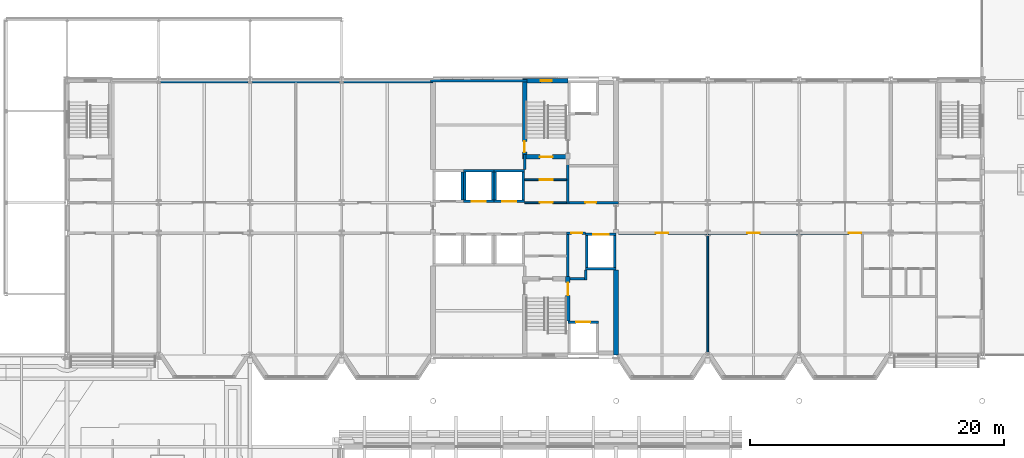
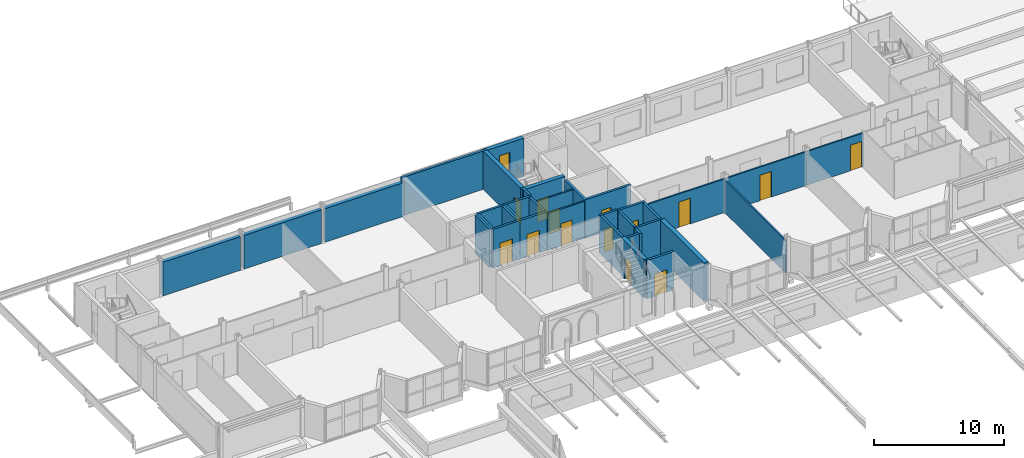
# One storey, part 42 of 110: 34 walls, 14 doors, 1 window, 15 openings.
"""IFC4 building model written with IfcOpenShell, lengths in metres."""

from ifc_helpers import new_model, si_unit, direction, frame, frame_2d, origin, place, context, subcontext, project, spatial, rectangle, extrude, material, layer, layer_set, type_object, element, fill, save


model = new_model("IFC4")

# Units and contexts
model_context = context("Model", 3, precision=1e-05, world=origin(), true_north=direction((0.0, 1.0)))
body_context = subcontext(model_context, "Body", "Model", "MODEL_VIEW")
ifc_project = project(units=[si_unit("LENGTHUNIT", "METRE"), si_unit("AREAUNIT", "SQUARE_METRE"), si_unit("VOLUMEUNIT", "CUBIC_METRE"), si_unit("PLANEANGLEUNIT", "RADIAN"), si_unit("MASSUNIT", "GRAM", prefix="KILO")], contexts=[model_context])

# Site, building, storey
site_placement = place(None, origin())
site = spatial("IfcSite", under=ifc_project, at=site_placement, CompositionType="ELEMENT")
building_placement = place(site_placement, origin())
building = spatial("IfcBuilding", under=site, at=building_placement, Name="Kupolbacken Congress Centre", CompositionType="ELEMENT")
storey_placement = place(building_placement, frame((0.0, 0.0, 18.0)))
storey = spatial("IfcBuildingStorey", under=building, at=storey_placement, Name="L05", CompositionType="ELEMENT", Elevation=18.0)

# Walls
ifc_material_1 = material(Name="Brick", Category="masonry")
ifc_layer_1 = layer(ifc_material_1, 0.10791015625)
ifc_material_2 = material(Name="Air cavity", Category="air")
ifc_layer_2 = layer(ifc_material_2, 0.050048828125, ventilated=True)
ifc_material_3 = material(Name="Mineral wool", Category="insulation")
ifc_layer_3 = layer(ifc_material_3, 0.1298828125)
ifc_material_4 = material(Name="Steel studs", Category="metal")
ifc_layer_4 = layer(ifc_material_4, 0.052001953125)
ifc_layer_set_1 = layer_set([ifc_layer_1, ifc_layer_2, ifc_layer_3, ifc_layer_4], Name="Brick / Mineral wool / Steel studs")
wall_type_1 = type_object("IfcWallType", Name="EW02 external cavity wall 340", PredefinedType="SOLIDWALL", material=ifc_layer_set_1)
wall_1_placement = place(storey_placement, frame((93.60009765625, 144.0, 0.0), z_axis=(0.0, 0.0, 1.0), x_axis=(-1.0, 0.0, 0.0)))
element("IfcWall", 1, at=wall_1_placement, inside=storey, type_object=wall_type_1, Name="E/T/N/L05/070", PredefinedType="SOLIDWALL", context=body_context, shape_type="SweptSolid", body=[
    extrude(rectangle(XDim=7.046630859375, YDim=0.340087890625, at=frame_2d((3.5234375, 0.0))), origin(), (0.0, 0.0, 1.0), 3.159912109375),
])
wall_2_placement = place(storey_placement, frame((86.24658203125, 144.0, 0.0), z_axis=(0.0, 0.0, 1.0), x_axis=(-1.0, 0.0, 0.0)))
element("IfcWall", 2, at=wall_2_placement, inside=storey, type_object=wall_type_1, Name="E/T/N/L05/071", PredefinedType="SOLIDWALL", context=body_context, shape_type="SweptSolid", body=[
    extrude(rectangle(XDim=6.89306640625, YDim=0.340087890625, at=frame_2d((3.446533203125, 0.0))), origin(), (0.0, 0.0, 1.0), 3.159912109375),
])
wall_3_placement = place(storey_placement, frame((79.04638671875, 144.0, 0.0), z_axis=(0.0, 0.0, 1.0), x_axis=(-1.0, 0.0, 0.0)))
element("IfcWall", 3, at=wall_3_placement, inside=storey, type_object=wall_type_1, Name="E/T/N/L05/072", PredefinedType="SOLIDWALL", context=body_context, shape_type="SweptSolid", body=[
    extrude(rectangle(XDim=6.892822265625, YDim=0.340087890625, at=frame_2d((3.4462890625, 0.0))), origin(), (0.0, 0.0, 1.0), 3.159912109375),
])

# Wall, openings, doors
ifc_material_5 = material(Name="Gypsum board", Category="drywall")
ifc_layer_5 = layer(ifc_material_5, 0.135009765625)
ifc_layer_set_2 = layer_set([ifc_layer_5], Name="Gypsum board")
wall_type_2 = type_object("IfcWallType", Name="P06 compartment wall 135", PredefinedType="PARTITIONING", material=ifc_layer_set_2)
wall_4_placement = place(storey_placement, frame((108.199951171875, 132.0, 0.0), z_axis=(0.0, 0.0, 1.0), x_axis=(1.0, 0.0, 0.0)))
wall_4 = element("IfcWall", 4, at=wall_4_placement, inside=storey, type_object=wall_type_2, Name="T/wall/L05/x/13200/10800", PredefinedType="PARTITIONING", context=body_context, shape_type="SweptSolid", body=[
    extrude(rectangle(XDim=19.257568359375, YDim=0.135009765625, at=frame_2d((9.62890625, 0.0))), origin(), (0.0, 0.0, 1.0), 3.159912109375),
])
opening_1_placement = place(wall_4_placement, frame((2.89990234375, 0.0, 0.0)))
opening_1 = element("IfcOpeningElement", 5, at=opening_1_placement, cuts=wall_4, Name="Opening D8", PredefinedType="OPENING", context=body_context, shape_type="SweptSolid", body=[
    extrude(rectangle(XDim=1.0, YDim=2.39990234375, at=frame_2d((0.5, 1.199951171875))), frame((0.0, 0.077392578125, 0.0), z_axis=(0.0, -1.0, 0.0), x_axis=(1.0, 0.0, 0.0)), (0.0, 0.0, 1.0), 0.155029296875),
])
opening_2_placement = place(wall_4_placement, frame((10.10009765625, 0.0, 0.0)))
opening_2 = element("IfcOpeningElement", 6, at=opening_2_placement, cuts=wall_4, Name="Opening D8", PredefinedType="OPENING", context=body_context, shape_type="SweptSolid", body=[
    extrude(rectangle(XDim=1.0, YDim=2.39990234375, at=frame_2d((0.5, 1.199951171875))), frame((0.0, 0.077392578125, 0.0), z_axis=(0.0, -1.0, 0.0), x_axis=(1.0, 0.0, 0.0)), (0.0, 0.0, 1.0), 0.155029296875),
])
opening_3_placement = place(wall_4_placement, frame((18.10009765625, 0.0, 0.0)))
opening_3 = element("IfcOpeningElement", 7, at=opening_3_placement, cuts=wall_4, Name="Opening D8", PredefinedType="OPENING", context=body_context, shape_type="SweptSolid", body=[
    extrude(rectangle(XDim=1.0, YDim=2.39990234375, at=frame_2d((0.5, 1.199951171875))), frame((0.0, 0.077392578125, 0.0), z_axis=(0.0, -1.0, 0.0), x_axis=(1.0, 0.0, 0.0)), (0.0, 0.0, 1.0), 0.155029296875),
])
ifc_material_6 = material(Name="Steel fire door leaf", Category="steel")
door_type_1 = type_object("IfcDoorType", Name="D8 fire door 1000x2400", OperationType="SINGLE_SWING_LEFT", PredefinedType="DOOR", material=ifc_material_6)
door_1_placement = place(opening_1_placement, frame((1.0, 0.0, 0.0), z_axis=(0.0, 0.0, 1.0), x_axis=(-1.0, 0.0, 0.0)))
door_1 = element("IfcDoor", 8, at=door_1_placement, inside=storey, type_object=door_type_1, Name="T/wall/L05/x/13200/10800/D-SE4-S1", OperationType="SINGLE_SWING_LEFT", OverallHeight=2.39990234375, OverallWidth=1.0, PredefinedType="DOOR", context=body_context, shape_type="SweptSolid", body=[
    extrude(rectangle(XDim=1.0, YDim=2.39990234375, at=frame_2d((0.5, 1.199951171875))), frame((0.0, 0.02490234375, 0.0), z_axis=(0.0, -1.0, 0.0), x_axis=(1.0, 0.0, 0.0)), (0.0, 0.0, 1.0), 0.050048828125),
])
fill(opening_1, door_1)
door_2_placement = place(opening_2_placement, frame((1.0, 0.0, 0.0), z_axis=(0.0, 0.0, 1.0), x_axis=(-1.0, 0.0, 0.0)))
door_2 = element("IfcDoor", 9, at=door_2_placement, inside=storey, type_object=door_type_1, Name="T/wall/L05/x/13200/10800/D-TO5-S1", OperationType="SINGLE_SWING_RIGHT", OverallHeight=2.39990234375, OverallWidth=1.0, PredefinedType="DOOR", context=body_context, shape_type="SweptSolid", body=[
    extrude(rectangle(XDim=1.0, YDim=2.39990234375, at=frame_2d((0.5, 1.199951171875))), frame((0.0, 0.02490234375, 0.0), z_axis=(0.0, -1.0, 0.0), x_axis=(1.0, 0.0, 0.0)), (0.0, 0.0, 1.0), 0.050048828125),
])
fill(opening_2, door_2)
door_3_placement = place(opening_3_placement, origin())
door_3 = element("IfcDoor", 10, at=door_3_placement, inside=storey, type_object=door_type_1, Name="T/wall/L05/x/13200/10800/D-MR2-S1", OperationType="SINGLE_SWING_LEFT", OverallHeight=2.39990234375, OverallWidth=1.0, PredefinedType="DOOR", context=body_context, shape_type="SweptSolid", body=[
    extrude(rectangle(XDim=1.0, YDim=2.39990234375, at=frame_2d((0.5, 1.199951171875))), frame((0.0, 0.02490234375, 0.0), z_axis=(0.0, -1.0, 0.0), x_axis=(1.0, 0.0, 0.0)), (0.0, 0.0, 1.0), 0.050048828125),
])
fill(opening_3, door_3)

# Wall
wall_5_placement = place(storey_placement, frame((115.199951171875, 122.60009765625, 0.0), z_axis=(0.0, 0.0, 1.0), x_axis=(0.0, 1.0, 0.0)))
element("IfcWall", 11, at=wall_5_placement, inside=storey, type_object=wall_type_2, Name="T/wall/L05/y/11520/12080", PredefinedType="PARTITIONING", context=body_context, shape_type="SweptSolid", body=[
    extrude(rectangle(XDim=9.33251953125, YDim=0.135009765625, at=frame_2d((4.666259765625, 0.0))), origin(), (0.0, 0.0, 1.0), 3.06005859375),
])

# Wall, opening, door
ifc_material_7 = material(Name="Aerated concrete block", Category="masonry")
ifc_layer_6 = layer(ifc_material_7, 0.139892578125)
ifc_layer_set_3 = layer_set([ifc_layer_6], Name="Aerated concrete block")
wall_type_3 = type_object("IfcWallType", Name="P14 compartment wall 140", PredefinedType="PARTITIONING", material=ifc_layer_set_3)
wall_6_placement = place(storey_placement, frame((100.800048828125, 134.39990234375, 0.0), z_axis=(0.0, 0.0, 1.0), x_axis=(1.0, 0.0, 0.0)))
wall_6 = element("IfcWall", 12, at=wall_6_placement, inside=storey, type_object=wall_type_3, Name="T/wall/L05/x/13440/10080", PredefinedType="PARTITIONING", context=body_context, shape_type="SweptSolid", body=[
    extrude(rectangle(XDim=3.300048828125, YDim=0.139892578125, at=frame_2d((1.64990234375, 0.0))), origin(), (0.0, 0.0, 1.0), 3.4599609375),
])
opening_4_placement = place(wall_6_placement, frame((1.199951171875, 0.0, 0.0)))
opening_4 = element("IfcOpeningElement", 13, at=opening_4_placement, cuts=wall_6, Name="Opening D5", PredefinedType="OPENING", context=body_context, shape_type="SweptSolid", body=[
    extrude(rectangle(XDim=1.0, YDim=2.10009765625, at=frame_2d((0.5, 1.050048828125))), frame((0.0, 0.079833984375, 0.0), z_axis=(0.0, -1.0, 0.0), x_axis=(1.0, 0.0, 0.0)), (0.0, 0.0, 1.0), 0.159912109375),
])
ifc_material_8 = material(Name="Steel fire door leaf", Category="steel")
door_type_2 = type_object("IfcDoorType", Name="D5 stair door 1000x2100", OperationType="SINGLE_SWING_LEFT", PredefinedType="DOOR", material=ifc_material_8)
door_4_placement = place(opening_4_placement, frame((1.0, 0.0, 0.0), z_axis=(0.0, 0.0, 1.0), x_axis=(-1.0, 0.0, 0.0)))
door_4 = element("IfcDoor", 14, at=door_4_placement, inside=storey, type_object=door_type_2, Name="T/wall/L05/x/13440/10080/D-TS2-LK3", OperationType="SINGLE_SWING_RIGHT", OverallHeight=2.10009765625, OverallWidth=1.0, PredefinedType="DOOR", context=body_context, shape_type="SweptSolid", body=[
    extrude(rectangle(XDim=1.0, YDim=2.10009765625, at=frame_2d((0.5, 1.050048828125))), frame((0.0, 0.02490234375, 0.0), z_axis=(0.0, -1.0, 0.0), x_axis=(1.0, 0.0, 0.0)), (0.0, 0.0, 1.0), 0.050048828125),
])
fill(opening_4, door_4)

wall_7_placement = place(storey_placement, frame((100.800048828125, 136.199951171875, 0.0), z_axis=(0.0, 0.0, 1.0), x_axis=(1.0, 0.0, 0.0)))
wall_7 = element("IfcWall", 15, at=wall_7_placement, inside=storey, type_object=wall_type_3, Name="T/wall/L05/x/13620/10080", PredefinedType="PARTITIONING", context=body_context, shape_type="SweptSolid", body=[
    extrude(rectangle(XDim=3.300048828125, YDim=0.139892578125, at=frame_2d((1.64990234375, 0.0))), origin(), (0.0, 0.0, 1.0), 3.4599609375),
])
opening_5_placement = place(wall_7_placement, frame((1.199951171875, 0.0, 0.0)))
opening_5 = element("IfcOpeningElement", 16, at=opening_5_placement, cuts=wall_7, Name="Opening D5", PredefinedType="OPENING", context=body_context, shape_type="SweptSolid", body=[
    extrude(rectangle(XDim=1.0, YDim=2.10009765625, at=frame_2d((0.5, 1.050048828125))), frame((0.0, 0.079833984375, 0.0), z_axis=(0.0, -1.0, 0.0), x_axis=(1.0, 0.0, 0.0)), (0.0, 0.0, 1.0), 0.159912109375),
])
door_5_placement = place(opening_5_placement, frame((1.0, 0.0, 0.0), z_axis=(0.0, 0.0, 1.0), x_axis=(-1.0, 0.0, 0.0)))
door_5 = element("IfcDoor", 17, at=door_5_placement, inside=storey, type_object=door_type_2, Name="T/wall/L05/x/13620/10080/D-TS2-LK2", OperationType="SINGLE_SWING_RIGHT", OverallHeight=2.10009765625, OverallWidth=1.0, PredefinedType="DOOR", context=body_context, shape_type="SweptSolid", body=[
    extrude(rectangle(XDim=1.0, YDim=2.10009765625, at=frame_2d((0.5, 1.050048828125))), frame((0.0, 0.02490234375, 0.0), z_axis=(0.0, -1.0, 0.0), x_axis=(1.0, 0.0, 0.0)), (0.0, 0.0, 1.0), 0.050048828125),
])
fill(opening_5, door_5)

# Walls
ifc_material_9 = material(Name="Concrete C40/50", Category="concrete")
ifc_layer_7 = layer(ifc_material_9, 0.199951171875)
ifc_layer_set_4 = layer_set([ifc_layer_7], Name="Concrete C40/50")
wall_type_4 = type_object("IfcWallType", Name="WC1 RC shaft wall 200", PredefinedType="SHEAR", material=ifc_layer_set_4)
wall_8_placement = place(storey_placement, frame((104.375, 128.39990234375, 0.0), z_axis=(0.0, 0.0, 1.0), x_axis=(1.0, 0.0, 0.0)))
element("IfcWall", 18, at=wall_8_placement, inside=storey, type_object=wall_type_4, Name="Shaft wall L05-093", PredefinedType="SHEAR", context=body_context, shape_type="SweptSolid", body=[
    extrude(rectangle(XDim=1.324951171875, YDim=0.199951171875, at=frame_2d((0.66259765625, 0.0))), origin(), (0.0, 0.0, 1.0), 3.60009765625),
])
wall_9_placement = place(storey_placement, frame((105.60009765625, 128.300048828125, 0.0), z_axis=(0.0, 0.0, 1.0), x_axis=(0.0, 1.0, 0.0)))
element("IfcWall", 19, at=wall_9_placement, inside=storey, type_object=wall_type_4, Name="Shaft wall L05-094", PredefinedType="SHEAR", context=body_context, shape_type="SweptSolid", body=[
    extrude(rectangle(XDim=0.800048828125, YDim=0.199951171875, at=frame_2d((0.39990234375, 0.0))), origin(), (0.0, 0.0, 1.0), 3.60009765625),
])
wall_10_placement = place(storey_placement, frame((104.199951171875, 132.10009765625, 0.0), z_axis=(0.0, 0.0, 1.0), x_axis=(0.0, -1.0, 0.0)))
element("IfcWall", 20, at=wall_10_placement, inside=storey, type_object=wall_type_4, Name="Shaft wall L05-109", PredefinedType="SHEAR", context=body_context, shape_type="SweptSolid", body=[
    extrude(rectangle(XDim=3.525146484375, YDim=0.199951171875, at=frame_2d((1.7626953125, 0.0))), origin(), (0.0, 0.0, 1.0), 3.60009765625),
])

# Wall, opening, door
wall_11_placement = place(storey_placement, frame((105.60009765625, 132.0, 0.0), z_axis=(0.0, 0.0, 1.0), x_axis=(-1.0, 0.0, 0.0)))
wall_11 = element("IfcWall", 21, at=wall_11_placement, inside=storey, type_object=wall_type_4, Name="Shaft wall L05-110", PredefinedType="SHEAR", context=body_context, shape_type="SweptSolid", body=[
    extrude(rectangle(XDim=1.5, YDim=0.199951171875, at=frame_2d((0.75, 0.0))), origin(), (0.0, 0.0, 1.0), 3.60009765625),
])
opening_6_placement = place(wall_11_placement, frame((0.27490234375, 0.0, 0.0)))
opening_6 = element("IfcOpeningElement", 22, at=opening_6_placement, cuts=wall_11, Name="Opening D3", PredefinedType="OPENING", context=body_context, shape_type="SweptSolid", body=[
    extrude(rectangle(XDim=0.85009765625, YDim=2.10009765625, at=frame_2d((0.425048828125, 1.050048828125))), frame((0.0, 0.10986328125, 0.0), z_axis=(0.0, -1.0, 0.0), x_axis=(1.0, 0.0, 0.0)), (0.0, 0.0, 1.0), 0.219970703125),
])
ifc_material_10 = material(Name="Steel fire door leaf", Category="steel")
door_type_3 = type_object("IfcDoorType", Name="D3 fire door 850x2100", OperationType="SINGLE_SWING_LEFT", PredefinedType="DOOR", material=ifc_material_10)
door_6_placement = place(opening_6_placement, origin())
door_6 = element("IfcDoor", 23, at=door_6_placement, inside=storey, type_object=door_type_3, Name="S/core/L05/110/D-TR3-A", OperationType="SINGLE_SWING_LEFT", OverallHeight=2.10009765625, OverallWidth=0.85009765625, PredefinedType="DOOR", context=body_context, shape_type="SweptSolid", body=[
    extrude(rectangle(XDim=0.85009765625, YDim=2.10009765625, at=frame_2d((0.425048828125, 1.050048828125))), frame((0.0, 0.02490234375, 0.0), z_axis=(0.0, -1.0, 0.0), x_axis=(1.0, 0.0, 0.0)), (0.0, 0.0, 1.0), 0.050048828125),
])
fill(opening_6, door_6)

wall_12_placement = place(storey_placement, frame((104.10009765625, 134.39990234375, 0.0), z_axis=(0.0, 0.0, 1.0), x_axis=(1.0, 0.0, 0.0)))
wall_12 = element("IfcWall", 24, at=wall_12_placement, inside=storey, type_object=wall_type_4, Name="Shaft wall L05-112", PredefinedType="SHEAR", context=body_context, shape_type="SweptSolid", body=[
    extrude(rectangle(XDim=4.099853515625, YDim=0.199951171875, at=frame_2d((2.0498046875, 0.0))), origin(), (0.0, 0.0, 1.0), 3.60009765625),
])
opening_7_placement = place(wall_12_placement, frame((1.47509765625, 0.0, 0.0)))
opening_7 = element("IfcOpeningElement", 25, at=opening_7_placement, cuts=wall_12, Name="Opening D3", PredefinedType="OPENING", context=body_context, shape_type="SweptSolid", body=[
    extrude(rectangle(XDim=0.85009765625, YDim=2.10009765625, at=frame_2d((0.425048828125, 1.050048828125))), frame((0.0, 0.10986328125, 0.0), z_axis=(0.0, -1.0, 0.0), x_axis=(1.0, 0.0, 0.0)), (0.0, 0.0, 1.0), 0.219970703125),
])
door_7_placement = place(opening_7_placement, origin())
door_7 = element("IfcDoor", 26, at=door_7_placement, inside=storey, type_object=door_type_3, Name="S/core/L05/112/D-TR4-A", OperationType="SINGLE_SWING_RIGHT", OverallHeight=2.10009765625, OverallWidth=0.85009765625, PredefinedType="DOOR", context=body_context, shape_type="SweptSolid", body=[
    extrude(rectangle(XDim=0.85009765625, YDim=2.10009765625, at=frame_2d((0.425048828125, 1.050048828125))), frame((0.0, 0.02490234375, 0.0), z_axis=(0.0, -1.0, 0.0), x_axis=(1.0, 0.0, 0.0)), (0.0, 0.0, 1.0), 0.050048828125),
])
fill(opening_7, door_7)

# Walls
wall_13_placement = place(storey_placement, frame((100.800048828125, 137.0, 0.0), z_axis=(0.0, 0.0, 1.0), x_axis=(0.0, 1.0, 0.0)))
element("IfcWall", 27, at=wall_13_placement, inside=storey, type_object=wall_type_4, Name="Shaft wall L05-114", PredefinedType="SHEAR", context=body_context, shape_type="SweptSolid", body=[
    extrude(rectangle(XDim=1.175048828125, YDim=0.199951171875, at=frame_2d((0.58740234375, 0.0))), origin(), (0.0, 0.0, 1.0), 3.60009765625),
])
wall_14_placement = place(storey_placement, frame((104.199951171875, 137.39990234375, 0.0), z_axis=(0.0, 0.0, 1.0), x_axis=(0.0, -1.0, 0.0)))
element("IfcWall", 28, at=wall_14_placement, inside=storey, type_object=wall_type_4, Name="Shaft wall L05-115", PredefinedType="SHEAR", context=body_context, shape_type="SweptSolid", body=[
    extrude(rectangle(XDim=3.099853515625, YDim=0.199951171875, at=frame_2d((1.5498046875, 0.0))), origin(), (0.0, 0.0, 1.0), 3.60009765625),
])
wall_15_placement = place(storey_placement, frame((100.97509765625, 144.0, 0.0), z_axis=(0.0, 0.0, 1.0), x_axis=(-1.0, 0.0, 0.0)))
element("IfcWall", 29, at=wall_15_placement, inside=storey, type_object=wall_type_4, Name="Shaft wall L05-128", PredefinedType="SHEAR", context=body_context, shape_type="SweptSolid", body=[
    extrude(rectangle(XDim=7.5751953125, YDim=0.199951171875, at=frame_2d((3.78759765625, 0.0))), origin(), (0.0, 0.0, 1.0), 3.60009765625),
])
wall_16_placement = place(storey_placement, frame((95.89990234375, 134.60009765625, 0.0), z_axis=(0.0, 0.0, 1.0), x_axis=(0.0, 1.0, 0.0)))
element("IfcWall", 30, at=wall_16_placement, inside=storey, type_object=wall_type_4, Name="Shaft wall LP12", PredefinedType="SHEAR", context=body_context, shape_type="SweptSolid", body=[
    extrude(rectangle(XDim=2.199951171875, YDim=0.199951171875, at=frame_2d((1.10009765625, 0.0))), origin(), (0.0, 0.0, 1.0), 3.60009765625),
])

# Wall, opening, door
wall_17_placement = place(storey_placement, frame((96.0, 134.5, 0.0), z_axis=(0.0, 0.0, 1.0), x_axis=(1.0, 0.0, 0.0)))
wall_17 = element("IfcWall", 31, at=wall_17_placement, inside=storey, type_object=wall_type_4, Name="Shaft wall LP13", PredefinedType="SHEAR", context=body_context, shape_type="SweptSolid", body=[
    extrude(rectangle(XDim=2.39990234375, YDim=0.199951171875, at=frame_2d((1.199951171875, 0.0))), origin(), (0.0, 0.0, 1.0), 3.60009765625),
])
opening_8_placement = place(wall_17_placement, frame((0.64990234375, 0.0, 0.0)))
opening_8 = element("IfcOpeningElement", 32, at=opening_8_placement, cuts=wall_17, Name="Opening LD2", PredefinedType="OPENING", context=body_context, shape_type="SweptSolid", body=[
    extrude(rectangle(XDim=1.10009765625, YDim=2.10009765625, at=frame_2d((0.550048828125, 1.050048828125))), frame((0.0, 0.10986328125, 0.0), z_axis=(0.0, -1.0, 0.0), x_axis=(1.0, 0.0, 0.0)), (0.0, 0.0, 1.0), 0.219970703125),
])
ifc_material_11 = material(Name="Stainless steel door leaf", Category="steel")
door_type_4 = type_object("IfcDoorType", Name="LD2 lift landing door 1100x2100", OperationType="SLIDING_TO_LEFT", PredefinedType="DOOR", material=ifc_material_11)
door_8_placement = place(opening_8_placement, origin())
door_8 = element("IfcDoor", 33, at=door_8_placement, inside=storey, type_object=door_type_4, Name="Lift landing door LP13", OperationType="SLIDING_TO_LEFT", OverallHeight=2.10009765625, OverallWidth=1.10009765625, PredefinedType="DOOR", context=body_context, shape_type="SweptSolid", body=[
    extrude(rectangle(XDim=1.10009765625, YDim=2.10009765625, at=frame_2d((0.550048828125, 1.050048828125))), frame((0.0, 0.02490234375, 0.0), z_axis=(0.0, -1.0, 0.0), x_axis=(1.0, 0.0, 0.0)), (0.0, 0.0, 1.0), 0.050048828125),
])
fill(opening_8, door_8)

# Walls
wall_18_placement = place(storey_placement, frame((96.0, 136.89990234375, 0.0), z_axis=(0.0, 0.0, 1.0), x_axis=(1.0, 0.0, 0.0)))
element("IfcWall", 34, at=wall_18_placement, inside=storey, type_object=wall_type_4, Name="Shaft wall LP13", PredefinedType="SHEAR", context=body_context, shape_type="SweptSolid", body=[
    extrude(rectangle(XDim=2.39990234375, YDim=0.199951171875, at=frame_2d((1.199951171875, 0.0))), origin(), (0.0, 0.0, 1.0), 3.60009765625),
])
for number, where, z_axis, x_axis, name in (
    (35, (96.10009765625, 134.60009765625, 0.0), (0.0, 0.0, 1.0), (0.0, 1.0, 0.0), "Shaft wall LP13"),
    (36, (98.300048828125, 134.60009765625, 0.0), (0.0, 0.0, 1.0), (0.0, 1.0, 0.0), "Shaft wall LP13"),
):
    element("IfcWall", number, at=place(storey_placement, frame(where, z_axis=z_axis, x_axis=x_axis)), inside=storey, type_object=wall_type_4, Name=name, PredefinedType="SHEAR", context=body_context, shape_type="SweptSolid", body=[
        extrude(rectangle(XDim=2.199951171875, YDim=0.199951171875, at=frame_2d((1.10009765625, 0.0))), origin(), (0.0, 0.0, 1.0), 3.60009765625),
    ])

# Wall, opening, door
wall_19_placement = place(storey_placement, frame((98.39990234375, 134.5, 0.0), z_axis=(0.0, 0.0, 1.0), x_axis=(1.0, 0.0, 0.0)))
wall_19 = element("IfcWall", 37, at=wall_19_placement, inside=storey, type_object=wall_type_4, Name="Shaft wall LP14", PredefinedType="SHEAR", context=body_context, shape_type="SweptSolid", body=[
    extrude(rectangle(XDim=2.400146484375, YDim=0.199951171875, at=frame_2d((1.2001953125, 0.0))), origin(), (0.0, 0.0, 1.0), 3.60009765625),
])
opening_9_placement = place(wall_19_placement, frame((0.64990234375, 0.0, 0.0)))
opening_9 = element("IfcOpeningElement", 38, at=opening_9_placement, cuts=wall_19, Name="Opening LD2", PredefinedType="OPENING", context=body_context, shape_type="SweptSolid", body=[
    extrude(rectangle(XDim=1.10009765625, YDim=2.10009765625, at=frame_2d((0.550048828125, 1.050048828125))), frame((0.0, 0.10986328125, 0.0), z_axis=(0.0, -1.0, 0.0), x_axis=(1.0, 0.0, 0.0)), (0.0, 0.0, 1.0), 0.219970703125),
])
door_9_placement = place(opening_9_placement, origin())
door_9 = element("IfcDoor", 39, at=door_9_placement, inside=storey, type_object=door_type_4, Name="Lift landing door LP14", OperationType="SLIDING_TO_LEFT", OverallHeight=2.10009765625, OverallWidth=1.10009765625, PredefinedType="DOOR", context=body_context, shape_type="SweptSolid", body=[
    extrude(rectangle(XDim=1.10009765625, YDim=2.10009765625, at=frame_2d((0.550048828125, 1.050048828125))), frame((0.0, 0.02490234375, 0.0), z_axis=(0.0, -1.0, 0.0), x_axis=(1.0, 0.0, 0.0)), (0.0, 0.0, 1.0), 0.050048828125),
])
fill(opening_9, door_9)

# Walls
wall_20_placement = place(storey_placement, frame((98.39990234375, 136.89990234375, 0.0), z_axis=(0.0, 0.0, 1.0), x_axis=(1.0, 0.0, 0.0)))
element("IfcWall", 40, at=wall_20_placement, inside=storey, type_object=wall_type_4, Name="Shaft wall LP14", PredefinedType="SHEAR", context=body_context, shape_type="SweptSolid", body=[
    extrude(rectangle(XDim=2.400146484375, YDim=0.199951171875, at=frame_2d((1.2001953125, 0.0))), origin(), (0.0, 0.0, 1.0), 3.60009765625),
])
for number, where, z_axis, x_axis, name in (
    (41, (98.5, 134.60009765625, 0.0), (0.0, 0.0, 1.0), (0.0, 1.0, 0.0), "Shaft wall LP14"),
    (42, (100.699951171875, 134.60009765625, 0.0), (0.0, 0.0, 1.0), (0.0, 1.0, 0.0), "Shaft wall LP14"),
):
    element("IfcWall", number, at=place(storey_placement, frame(where, z_axis=z_axis, x_axis=x_axis)), inside=storey, type_object=wall_type_4, Name=name, PredefinedType="SHEAR", context=body_context, shape_type="SweptSolid", body=[
        extrude(rectangle(XDim=2.199951171875, YDim=0.199951171875, at=frame_2d((1.10009765625, 0.0))), origin(), (0.0, 0.0, 1.0), 3.60009765625),
    ])

# Wall, opening, door
wall_21_placement = place(storey_placement, frame((104.199951171875, 125.0, 0.0), z_axis=(0.0, 0.0, 1.0), x_axis=(1.0, 0.0, 0.0)))
wall_21 = element("IfcWall", 43, at=wall_21_placement, inside=storey, type_object=wall_type_4, Name="Shaft wall LF1", PredefinedType="SHEAR", context=body_context, shape_type="SweptSolid", body=[
    extrude(rectangle(XDim=2.400146484375, YDim=0.199951171875, at=frame_2d((1.2001953125, 0.0))), origin(), (0.0, 0.0, 1.0), 3.60009765625),
])
opening_10_placement = place(wall_21_placement, frame((0.64990234375, 0.0, 0.0)))
opening_10 = element("IfcOpeningElement", 44, at=opening_10_placement, cuts=wall_21, Name="Opening LD2", PredefinedType="OPENING", context=body_context, shape_type="SweptSolid", body=[
    extrude(rectangle(XDim=1.10009765625, YDim=2.10009765625, at=frame_2d((0.550048828125, 1.050048828125))), frame((0.0, 0.10986328125, 0.0), z_axis=(0.0, -1.0, 0.0), x_axis=(1.0, 0.0, 0.0)), (0.0, 0.0, 1.0), 0.219970703125),
])
door_10_placement = place(opening_10_placement, origin())
door_10 = element("IfcDoor", 45, at=door_10_placement, inside=storey, type_object=door_type_4, Name="Lift landing door LF1", OperationType="SLIDING_TO_LEFT", OverallHeight=2.10009765625, OverallWidth=1.10009765625, PredefinedType="DOOR", context=body_context, shape_type="SweptSolid", body=[
    extrude(rectangle(XDim=1.10009765625, YDim=2.10009765625, at=frame_2d((0.550048828125, 1.050048828125))), frame((0.0, 0.02490234375, 0.0), z_axis=(0.0, -1.0, 0.0), x_axis=(1.0, 0.0, 0.0)), (0.0, 0.0, 1.0), 0.050048828125),
])
fill(opening_10, door_10)

# Wall
wall_22_placement = place(storey_placement, frame((105.60009765625, 129.199951171875, 0.0), z_axis=(0.0, 0.0, 1.0), x_axis=(1.0, 0.0, 0.0)))
element("IfcWall", 46, at=wall_22_placement, inside=storey, type_object=wall_type_4, Name="Shaft wall LV1", PredefinedType="SHEAR", context=body_context, shape_type="SweptSolid", body=[
    extrude(rectangle(XDim=2.39990234375, YDim=0.199951171875, at=frame_2d((1.199951171875, 0.0))), origin(), (0.0, 0.0, 1.0), 3.60009765625),
])

# Wall, opening, door
wall_23_placement = place(storey_placement, frame((105.60009765625, 131.89990234375, 0.0), z_axis=(0.0, 0.0, 1.0), x_axis=(1.0, 0.0, 0.0)))
wall_23 = element("IfcWall", 47, at=wall_23_placement, inside=storey, type_object=wall_type_4, Name="Shaft wall LV1", PredefinedType="SHEAR", context=body_context, shape_type="SweptSolid", body=[
    extrude(rectangle(XDim=2.39990234375, YDim=0.199951171875, at=frame_2d((1.199951171875, 0.0))), origin(), (0.0, 0.0, 1.0), 3.60009765625),
])
opening_11_placement = place(wall_23_placement, frame((0.60009765625, 0.0, 0.0)))
opening_11 = element("IfcOpeningElement", 48, at=opening_11_placement, cuts=wall_23, Name="Opening LD1", PredefinedType="OPENING", context=body_context, shape_type="SweptSolid", body=[
    extrude(rectangle(XDim=1.199951171875, YDim=2.10009765625, at=frame_2d((0.60009765625, 1.050048828125))), frame((0.0, 0.10986328125, 0.0), z_axis=(0.0, -1.0, 0.0), x_axis=(1.0, 0.0, 0.0)), (0.0, 0.0, 1.0), 0.219970703125),
])
ifc_material_12 = material(Name="Stainless steel door leaf", Category="steel")
door_type_5 = type_object("IfcDoorType", Name="LD1 lift landing door 1200x2100", OperationType="SLIDING_TO_LEFT", PredefinedType="DOOR", material=ifc_material_12)
door_11_placement = place(opening_11_placement, origin())
door_11 = element("IfcDoor", 49, at=door_11_placement, inside=storey, type_object=door_type_5, Name="Lift landing door LV1", OperationType="SLIDING_TO_LEFT", OverallHeight=2.10009765625, OverallWidth=1.199951171875, PredefinedType="DOOR", context=body_context, shape_type="SweptSolid", body=[
    extrude(rectangle(XDim=1.199951171875, YDim=2.10009765625, at=frame_2d((0.60009765625, 1.050048828125))), frame((0.0, 0.02490234375, 0.0), z_axis=(0.0, -1.0, 0.0), x_axis=(1.0, 0.0, 0.0)), (0.0, 0.0, 1.0), 0.050048828125),
])
fill(opening_11, door_11)

# Walls
for number, where, z_axis, x_axis, name in (
    (50, (105.699951171875, 129.300048828125, 0.0), (0.0, 0.0, 1.0), (0.0, 1.0, 0.0), "Shaft wall LV1"),
    (51, (107.89990234375, 129.300048828125, 0.0), (0.0, 0.0, 1.0), (0.0, 1.0, 0.0), "Shaft wall LV1"),
):
    element("IfcWall", number, at=place(storey_placement, frame(where, z_axis=z_axis, x_axis=x_axis)), inside=storey, type_object=wall_type_4, Name=name, PredefinedType="SHEAR", context=body_context, shape_type="SweptSolid", body=[
        extrude(rectangle(XDim=2.5, YDim=0.199951171875, at=frame_2d((1.25, 0.0))), origin(), (0.0, 0.0, 1.0), 3.60009765625),
    ])

# Wall, opening, door
ifc_material_13 = material(Name="Concrete C40/50", Category="concrete")
ifc_layer_8 = layer(ifc_material_13, 0.35009765625)
ifc_layer_set_5 = layer_set([ifc_layer_8], Name="Concrete C40/50")
wall_type_5 = type_object("IfcWallType", Name="WC4 RC core wall 350", PredefinedType="SHEAR", material=ifc_layer_set_5)
wall_24_placement = place(storey_placement, frame((104.199951171875, 125.10009765625, 0.0), z_axis=(0.0, 0.0, 1.0), x_axis=(0.0, 1.0, 0.0)))
wall_24 = element("IfcWall", 52, at=wall_24_placement, inside=storey, type_object=wall_type_5, Name="Core wall L05-081", PredefinedType="SHEAR", context=body_context, shape_type="SweptSolid", body=[
    extrude(rectangle(XDim=3.474853515625, YDim=0.35009765625, at=frame_2d((1.7373046875, 0.0))), origin(), (0.0, 0.0, 1.0), 3.60009765625),
])
opening_12_placement = place(wall_24_placement, frame((2.0, 0.0, 0.0)))
opening_12 = element("IfcOpeningElement", 53, at=opening_12_placement, cuts=wall_24, Name="Opening D5", PredefinedType="OPENING", context=body_context, shape_type="SweptSolid", body=[
    extrude(rectangle(XDim=1.0, YDim=2.10009765625, at=frame_2d((0.5, 1.050048828125))), frame((0.0, 0.18505859375, 0.0), z_axis=(0.0, -1.0, 0.0), x_axis=(1.0, 0.0, 0.0)), (0.0, 0.0, 1.0), 0.3701171875),
])
door_12_placement = place(opening_12_placement, origin())
door_12 = element("IfcDoor", 54, at=door_12_placement, inside=storey, type_object=door_type_2, Name="S/core/L05/081/D-TFL1-A", OperationType="SINGLE_SWING_LEFT", OverallHeight=2.10009765625, OverallWidth=1.0, PredefinedType="DOOR", context=body_context, shape_type="SweptSolid", body=[
    extrude(rectangle(XDim=1.0, YDim=2.10009765625, at=frame_2d((0.5, 1.050048828125))), frame((0.0, 0.02490234375, 0.0), z_axis=(0.0, -1.0, 0.0), x_axis=(1.0, 0.0, 0.0)), (0.0, 0.0, 1.0), 0.050048828125),
])
fill(opening_12, door_12)

wall_25_placement = place(storey_placement, frame((100.625, 138.0, 0.0), z_axis=(0.0, 0.0, 1.0), x_axis=(1.0, 0.0, 0.0)))
wall_25 = element("IfcWall", 55, at=wall_25_placement, inside=storey, type_object=wall_type_5, Name="Core wall L05-120", PredefinedType="SHEAR", context=body_context, shape_type="SweptSolid", body=[
    extrude(rectangle(XDim=3.75, YDim=0.35009765625, at=frame_2d((1.875, 0.0))), origin(), (0.0, 0.0, 1.0), 3.60009765625),
])
opening_13_placement = place(wall_25_placement, frame((1.375, 0.0, 0.0)))
opening_13 = element("IfcOpeningElement", 56, at=opening_13_placement, cuts=wall_25, Name="Opening D5", PredefinedType="OPENING", context=body_context, shape_type="SweptSolid", body=[
    extrude(rectangle(XDim=1.0, YDim=2.10009765625, at=frame_2d((0.5, 1.050048828125))), frame((0.0, 0.18505859375, 0.0), z_axis=(0.0, -1.0, 0.0), x_axis=(1.0, 0.0, 0.0)), (0.0, 0.0, 1.0), 0.3701171875),
])
door_13_placement = place(opening_13_placement, origin())
door_13 = element("IfcDoor", 57, at=door_13_placement, inside=storey, type_object=door_type_2, Name="S/core/L05/120/D-TS2-LK1", OperationType="SINGLE_SWING_RIGHT", OverallHeight=2.10009765625, OverallWidth=1.0, PredefinedType="DOOR", context=body_context, shape_type="SweptSolid", body=[
    extrude(rectangle(XDim=1.0, YDim=2.10009765625, at=frame_2d((0.5, 1.050048828125))), frame((0.0, 0.02490234375, 0.0), z_axis=(0.0, -1.0, 0.0), x_axis=(1.0, 0.0, 0.0)), (0.0, 0.0, 1.0), 0.050048828125),
])
fill(opening_13, door_13)

wall_26_placement = place(storey_placement, frame((100.800048828125, 144.175048828125, 0.0), z_axis=(0.0, 0.0, 1.0), x_axis=(0.0, -1.0, 0.0)))
wall_26 = element("IfcWall", 58, at=wall_26_placement, inside=storey, type_object=wall_type_5, Name="Core wall L05-127", PredefinedType="SHEAR", context=body_context, shape_type="SweptSolid", body=[
    extrude(rectangle(XDim=6.0, YDim=0.35009765625, at=frame_2d((3.0, 0.0))), origin(), (0.0, 0.0, 1.0), 3.60009765625),
])
opening_14_placement = place(wall_26_placement, frame((4.949951171875, 0.0, 0.0)))
opening_14 = element("IfcOpeningElement", 59, at=opening_14_placement, cuts=wall_26, Name="Opening D3", PredefinedType="OPENING", context=body_context, shape_type="SweptSolid", body=[
    extrude(rectangle(XDim=0.85009765625, YDim=2.10009765625, at=frame_2d((0.425048828125, 1.050048828125))), frame((0.0, 0.18505859375, 0.0), z_axis=(0.0, -1.0, 0.0), x_axis=(1.0, 0.0, 0.0)), (0.0, 0.0, 1.0), 0.3701171875),
])
door_14_placement = place(opening_14_placement, origin())
door_14 = element("IfcDoor", 60, at=door_14_placement, inside=storey, type_object=door_type_3, Name="S/core/L05/127/D-TR2-A", OperationType="SINGLE_SWING_LEFT", OverallHeight=2.10009765625, OverallWidth=0.85009765625, PredefinedType="DOOR", context=body_context, shape_type="SweptSolid", body=[
    extrude(rectangle(XDim=0.85009765625, YDim=2.10009765625, at=frame_2d((0.425048828125, 1.050048828125))), frame((0.0, 0.02490234375, 0.0), z_axis=(0.0, -1.0, 0.0), x_axis=(1.0, 0.0, 0.0)), (0.0, 0.0, 1.0), 0.050048828125),
])
fill(opening_14, door_14)

# Wall, opening, window
wall_27_placement = place(storey_placement, frame((104.199951171875, 144.0, 0.0), z_axis=(0.0, 0.0, 1.0), x_axis=(-1.0, 0.0, 0.0)))
wall_27 = element("IfcWall", 61, at=wall_27_placement, inside=storey, type_object=wall_type_5, Name="Core wall L05-129", PredefinedType="SHEAR", context=body_context, shape_type="SweptSolid", body=[
    extrude(rectangle(XDim=3.224853515625, YDim=0.35009765625, at=frame_2d((1.6123046875, 0.0))), origin(), (0.0, 0.0, 1.0), 3.60009765625),
])
opening_15_placement = place(wall_27_placement, frame((1.25, 0.0, 0.60009765625)))
opening_15 = element("IfcOpeningElement", 62, at=opening_15_placement, cuts=wall_27, Name="Opening W28", PredefinedType="OPENING", context=body_context, shape_type="SweptSolid", body=[
    extrude(rectangle(XDim=0.89990234375, YDim=2.10009765625, at=frame_2d((0.449951171875, 1.050048828125))), frame((0.0, 0.18505859375, 0.0), z_axis=(0.0, -1.0, 0.0), x_axis=(1.0, 0.0, 0.0)), (0.0, 0.0, 1.0), 0.3701171875),
])
ifc_material_14 = material(Name="Aluminium frame with double or triple glazing", Category="aluminium")
window_type = type_object("IfcWindowType", Name="W28 window 900x2100", PartitioningType="SINGLE_PANEL", PredefinedType="WINDOW", material=ifc_material_14)
window_placement = place(opening_15_placement, origin())
window = element("IfcWindow", 63, at=window_placement, inside=storey, type_object=window_type, Name="S/core/L05/129/WW28", OverallHeight=2.10009765625, OverallWidth=0.89990234375, PartitioningType="SINGLE_PANEL", PredefinedType="WINDOW", context=body_context, shape_type="SweptSolid", body=[
    extrude(rectangle(XDim=0.89990234375, YDim=2.10009765625, at=frame_2d((0.449951171875, 1.050048828125))), frame((0.0, 0.030029296875, 0.0), z_axis=(0.0, -1.0, 0.0), x_axis=(1.0, 0.0, 0.0)), (0.0, 0.0, 1.0), 0.06005859375),
])
fill(opening_15, window)

# Wall
ifc_material_15 = material(Name="Concrete C40/50", Category="concrete")
ifc_layer_9 = layer(ifc_material_15, 0.39990234375)
ifc_layer_set_6 = layer_set([ifc_layer_9], Name="Concrete C40/50")
wall_type_6 = type_object("IfcWallType", Name="WC5 RC core wall 400", PredefinedType="SHEAR", material=ifc_layer_set_6)
wall_28_placement = place(storey_placement, frame((108.0, 122.39990234375, 0.0), z_axis=(0.0, 0.0, 1.0), x_axis=(0.0, 1.0, 0.0)))
element("IfcWall", 64, at=wall_28_placement, inside=storey, type_object=wall_type_6, Name="Core wall L05-080", PredefinedType="SHEAR", context=body_context, shape_type="SweptSolid", body=[
    extrude(rectangle(XDim=6.7001953125, YDim=0.39990234375, at=frame_2d((3.35009765625, 0.0))), origin(), (0.0, 0.0, 1.0), 3.60009765625),
])

save(model, "model.ifc")
